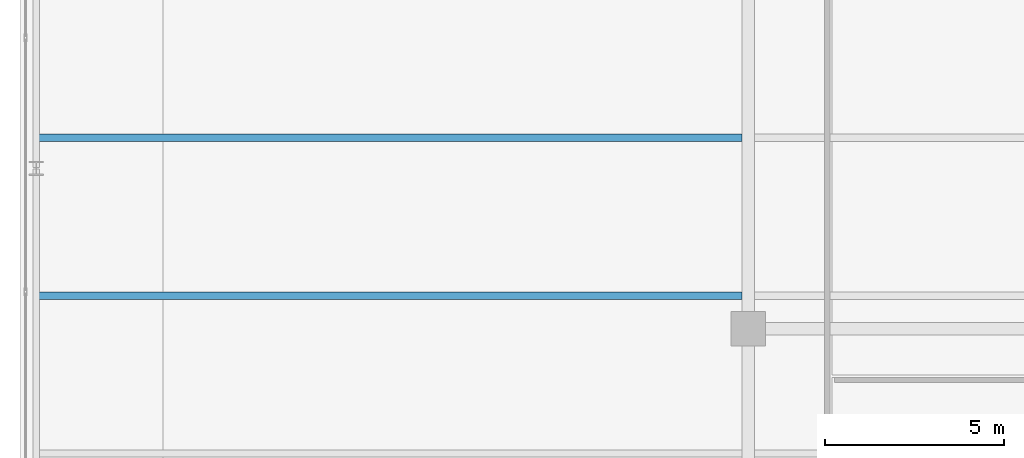
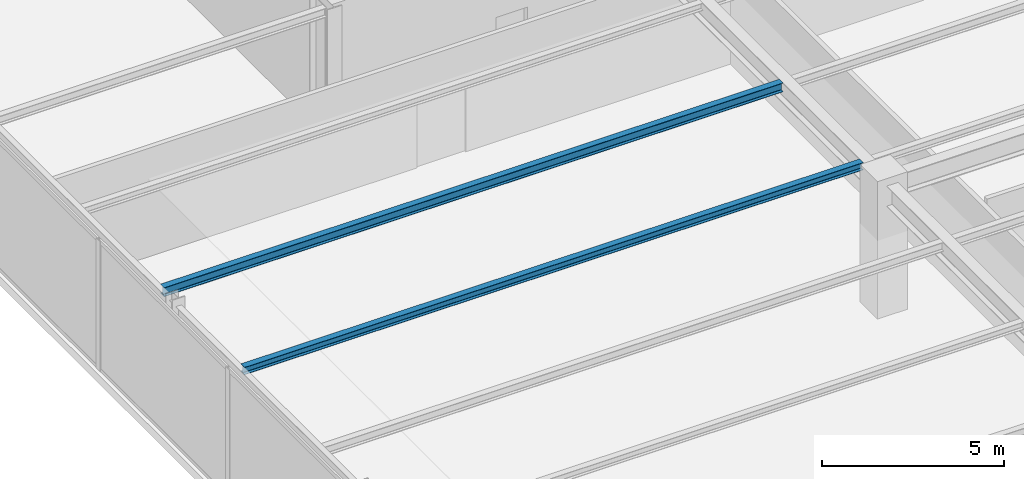
# One storey, part 12 of 32: 2 beams.
"""IFC4 building model written with IfcOpenShell, lengths in metres."""

from ifc_helpers import new_model, si_unit, direction, frame, origin, origin_2d, place, context, subcontext, project, spatial, i_section, extrude, source, transform, mapped, material, material_profile, profile_set, type_object, type_shapes, element, save


model = new_model("IFC4")

# Units and contexts
model_context = context("Model", 3, precision=1e-05, world=origin(), true_north=direction((0.0, 1.0)))
body_context = subcontext(model_context, "Body", "Model", "MODEL_VIEW")
ifc_project = project(units=[si_unit("LENGTHUNIT", "METRE"), si_unit("AREAUNIT", "SQUARE_METRE"), si_unit("VOLUMEUNIT", "CUBIC_METRE"), si_unit("PLANEANGLEUNIT", "RADIAN"), si_unit("MASSUNIT", "GRAM", prefix="KILO")], contexts=[model_context])

# Site, building, storey
site_placement = place(None, origin())
site = spatial("IfcSite", under=ifc_project, at=site_placement, CompositionType="ELEMENT")
building_placement = place(site_placement, origin())
building = spatial("IfcBuilding", under=site, at=building_placement, Name="Varnel Quay Broadcast Tower", CompositionType="ELEMENT")
storey_placement = place(building_placement, frame((0.0, 0.0, 98.39990234375)))
storey = spatial("IfcBuildingStorey", under=building, at=storey_placement, Name="L23", CompositionType="ELEMENT", Elevation=98.39990234375)

# Beams
ifc_material = material(Name="Structural Steel CSA G40.21 350W", Category="steel")
ifc_material_profile_1 = material_profile(ifc_material, i_section(OverallWidth=0.202880859375, OverallDepth=0.302978515625, WebThickness=0.007568359375, FlangeThickness=0.01318359375, FilletRadius=0.011962890625, at=origin_2d()), Name="W310X60")
ifc_profile_set_1 = profile_set([ifc_material_profile_1], Name="Structural Steel CSA G40.21 350W")
beam_type_1 = type_object("IfcBeamType", Name="Beam_W310X60", PredefinedType="JOIST", material=ifc_profile_set_1)
shared_shape_1 = source(origin(), body_context, "Body", "SweptSolid", [
    extrude(i_section(OverallWidth=0.202880859375, OverallDepth=0.302978515625, WebThickness=0.007568359375, FlangeThickness=0.01318359375, FilletRadius=0.011962890625, at=origin_2d()), origin(), (0.0, 0.0, 1.0), 19.592041015625),
])
type_shapes(beam_type_1, [shared_shape_1])
beam_1_placement = place(storey_placement, frame((5.035400390625, 26.25, 4.198486328125), z_axis=(1.0, 0.0, 0.0), x_axis=(0.0, 1.0, 0.0)))
element("IfcBeam", 1, at=beam_1_placement, inside=storey, type_object=beam_type_1, Name="L23 West Floor Joist 5", PredefinedType="JOIST", context=body_context, shape_type="MappedRepresentation", body=[
    mapped(shared_shape_1, transform((0.0, 0.0, 0.0), x_axis=(1.0, 0.0, 0.0), y_axis=(0.0, 1.0, 0.0), z_axis=(0.0, 0.0, 1.0), scale=1.0)),
])
ifc_material_profile_2 = material_profile(ifc_material, i_section(OverallWidth=0.201904296875, OverallDepth=0.2470703125, WebThickness=0.00732421875, FlangeThickness=0.010986328125, FilletRadius=0.010986328125, at=origin_2d()), Name="W250X49")
ifc_profile_set_2 = profile_set([ifc_material_profile_2], Name="Structural Steel CSA G40.21 350W")
beam_type_2 = type_object("IfcBeamType", Name="Beam_W250X49", PredefinedType="JOIST", material=ifc_profile_set_2)
shared_shape_2 = source(origin(), body_context, "Body", "SweptSolid", [
    extrude(i_section(OverallWidth=0.201904296875, OverallDepth=0.2470703125, WebThickness=0.00732421875, FlangeThickness=0.010986328125, FilletRadius=0.010986328125, at=origin_2d()), origin(), (0.0, 0.0, 1.0), 19.592041015625),
])
type_shapes(beam_type_2, [shared_shape_2])
beam_2_placement = place(storey_placement, frame((5.035400390625, 21.85009765625, 4.2265625), z_axis=(1.0, 0.0, 0.0), x_axis=(0.0, 1.0, 0.0)))
element("IfcBeam", 2, at=beam_2_placement, inside=storey, type_object=beam_type_2, Name="L23 West Floor Joist 4", PredefinedType="JOIST", context=body_context, shape_type="MappedRepresentation", body=[
    mapped(shared_shape_2, transform((0.0, 0.0, 0.0), x_axis=(1.0, 0.0, 0.0), y_axis=(0.0, 1.0, 0.0), z_axis=(0.0, 0.0, 1.0), scale=1.0)),
])

save(model, "model.ifc")
